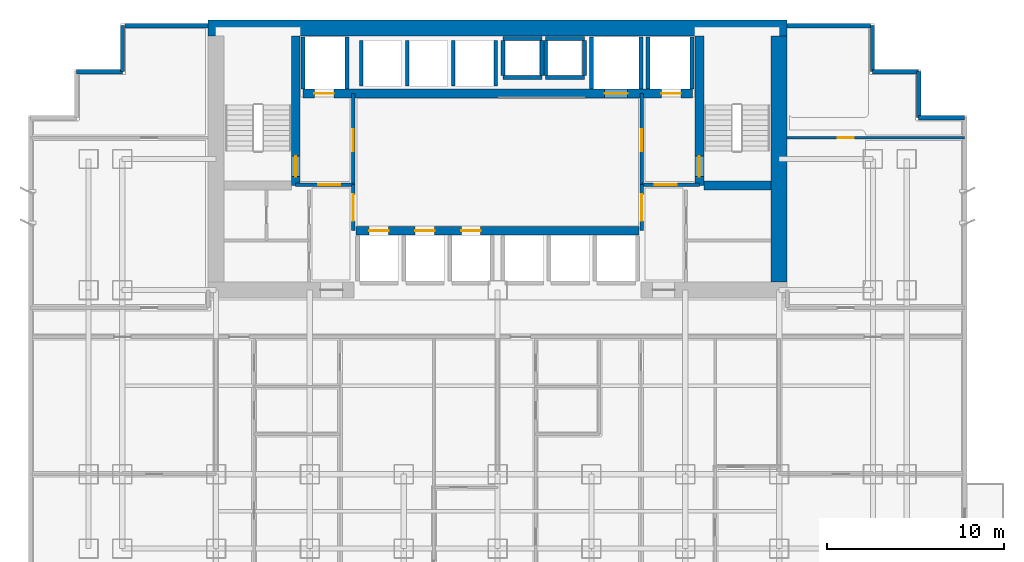
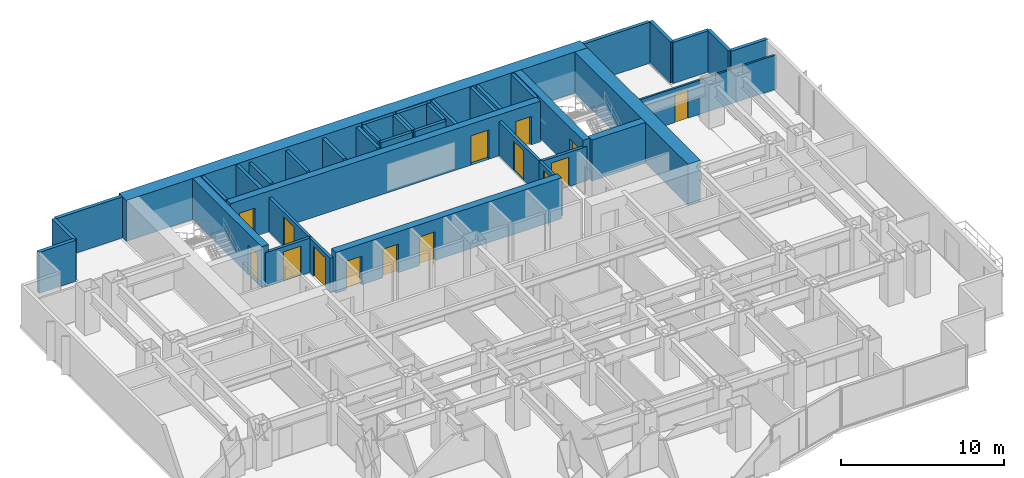
# One storey, part 7 of 10: 40 walls, 15 doors, 15 openings.
"""IFC4 building model written with IfcOpenShell, lengths in metres."""

from ifc_helpers import new_model, si_unit, direction, frame, frame_2d, origin, place, context, subcontext, project, spatial, rectangle, extrude, material, layer, layer_set, type_object, element, fill, save


model = new_model("IFC4")

# Units and contexts
model_context = context("Model", 3, precision=1e-05, world=origin(), true_north=direction((0.0, 1.0)))
body_context = subcontext(model_context, "Body", "Model", "MODEL_VIEW")
ifc_project = project(units=[si_unit("LENGTHUNIT", "METRE"), si_unit("AREAUNIT", "SQUARE_METRE"), si_unit("VOLUMEUNIT", "CUBIC_METRE"), si_unit("PLANEANGLEUNIT", "RADIAN"), si_unit("MASSUNIT", "GRAM", prefix="KILO")], contexts=[model_context])

# Site, building, storey
site_placement = place(None, origin())
site = spatial("IfcSite", under=ifc_project, at=site_placement, CompositionType="ELEMENT")
building_placement = place(site_placement, origin())
building = spatial("IfcBuilding", under=site, at=building_placement, Name="Qianlan Lanfeng Residences", CompositionType="ELEMENT")
storey_placement = place(building_placement, frame((0.0, 0.0, 50.60009765625)))
storey = spatial("IfcBuildingStorey", under=building, at=storey_placement, Name="L13", CompositionType="ELEMENT", Elevation=50.60009765625)

# Wall, opening, door
ifc_material_1 = material(Name="Concrete C70", Category="concrete")
ifc_layer_1 = layer(ifc_material_1, 0.5)
ifc_layer_set_1 = layer_set([ifc_layer_1], Name="Concrete C70")
wall_type_1 = type_object("IfcWallType", Name="CW-RC-500", PredefinedType="SHEAR", material=ifc_layer_set_1)
wall_1_placement = place(storey_placement, frame((15.10009765625, 31.10009765625, 0.0), z_axis=(0.0, 0.0, 1.0), x_axis=(0.0, 1.0, 0.0)))
wall_1 = element("IfcWall", 1, at=wall_1_placement, inside=storey, type_object=wall_type_1, Name="L13 Core Shear Wall ST1E", PredefinedType="SHEAR", context=body_context, shape_type="SweptSolid", body=[
    extrude(rectangle(XDim=8.449951171875, YDim=0.5, at=frame_2d((4.22509765625, 0.0))), origin(), (0.0, 0.0, 1.0), 3.079833984375),
])
opening_1_placement = place(wall_1_placement, frame((0.510009765625, 0.0, 0.0)))
opening_1 = element("IfcOpeningElement", 2, at=opening_1_placement, cuts=wall_1, Name="Opening L13-D07", PredefinedType="OPENING", context=body_context, shape_type="SweptSolid", body=[
    extrude(rectangle(XDim=1.14990234375, YDim=2.199951171875, at=frame_2d((0.574951171875, 1.10009765625))), frame((0.0, 0.260009765625, 0.0), z_axis=(0.0, -1.0, 0.0), x_axis=(1.0, 0.0, 0.0)), (0.0, 0.0, 1.0), 0.52001953125),
])
ifc_material_2 = material(Name="Painted Galvanised Steel Fire Door", Category="steel")
door_type_1 = type_object("IfcDoorType", Name="DT-ST1", OperationType="NOTDEFINED", PredefinedType="DOOR", material=ifc_material_2)
door_1_placement = place(opening_1_placement, frame((1.14990234375, 0.0, 0.0), z_axis=(0.0, 0.0, 1.0), x_axis=(-1.0, 0.0, 0.0)))
door_1 = element("IfcDoor", 3, at=door_1_placement, inside=storey, type_object=door_type_1, Name="L13 Exit Stair ST-1 Door L13-D07 (DT-ST1)", OperationType="SINGLE_SWING_RIGHT", OverallHeight=2.199951171875, OverallWidth=1.14990234375, PredefinedType="DOOR", context=body_context, shape_type="SweptSolid", body=[
    extrude(rectangle(XDim=1.14990234375, YDim=2.199951171875, at=frame_2d((0.574951171875, 1.10009765625))), frame((0.0, 0.02490234375, 0.0), z_axis=(0.0, -1.0, 0.0), x_axis=(1.0, 0.0, 0.0)), (0.0, 0.0, 1.0), 0.050048828125),
])
fill(opening_1, door_1)

wall_2_placement = place(storey_placement, frame((37.89990234375, 31.10009765625, 0.0), z_axis=(0.0, 0.0, 1.0), x_axis=(0.0, 1.0, 0.0)))
wall_2 = element("IfcWall", 4, at=wall_2_placement, inside=storey, type_object=wall_type_1, Name="L13 Core Shear Wall ST2W", PredefinedType="SHEAR", context=body_context, shape_type="SweptSolid", body=[
    extrude(rectangle(XDim=8.449951171875, YDim=0.5, at=frame_2d((4.22509765625, 0.0))), origin(), (0.0, 0.0, 1.0), 3.079833984375),
])
opening_2_placement = place(wall_2_placement, frame((0.510009765625, 0.0, 0.0)))
opening_2 = element("IfcOpeningElement", 5, at=opening_2_placement, cuts=wall_2, Name="Opening L13-D08", PredefinedType="OPENING", context=body_context, shape_type="SweptSolid", body=[
    extrude(rectangle(XDim=1.14990234375, YDim=2.199951171875, at=frame_2d((0.574951171875, 1.10009765625))), frame((0.0, 0.260009765625, 0.0), z_axis=(0.0, -1.0, 0.0), x_axis=(1.0, 0.0, 0.0)), (0.0, 0.0, 1.0), 0.52001953125),
])
door_2_placement = place(opening_2_placement, origin())
door_2 = element("IfcDoor", 6, at=door_2_placement, inside=storey, type_object=door_type_1, Name="L13 Exit Stair ST-2 Door L13-D08 (DT-ST1)", OperationType="SINGLE_SWING_RIGHT", OverallHeight=2.199951171875, OverallWidth=1.14990234375, PredefinedType="DOOR", context=body_context, shape_type="SweptSolid", body=[
    extrude(rectangle(XDim=1.14990234375, YDim=2.199951171875, at=frame_2d((0.574951171875, 1.10009765625))), frame((0.0, 0.02490234375, 0.0), z_axis=(0.0, -1.0, 0.0), x_axis=(1.0, 0.0, 0.0)), (0.0, 0.0, 1.0), 0.050048828125),
])
fill(opening_2, door_2)

# Wall
wall_3_placement = place(storey_placement, frame((38.14990234375, 31.10009765625, 0.0), z_axis=(0.0, 0.0, 1.0), x_axis=(1.0, 0.0, 0.0)))
element("IfcWall", 7, at=wall_3_placement, inside=storey, type_object=wall_type_1, Name="L13 Core Shear Wall ST2S", PredefinedType="SHEAR", context=body_context, shape_type="SweptSolid", body=[
    extrude(rectangle(XDim=3.800048828125, YDim=0.5, at=frame_2d((1.89990234375, 0.0))), origin(), (0.0, 0.0, 1.0), 3.079833984375),
])

# Wall, openings, doors
wall_4_placement = place(storey_placement, frame((15.5, 36.300048828125, 0.0), z_axis=(0.0, 0.0, 1.0), x_axis=(1.0, 0.0, 0.0)))
wall_4 = element("IfcWall", 8, at=wall_4_placement, inside=storey, type_object=wall_type_1, Name="L13 Core Shear Wall LBN", PredefinedType="SHEAR", context=body_context, shape_type="SweptSolid", body=[
    extrude(rectangle(XDim=22.0, YDim=0.5, at=frame_2d((11.0, 0.0))), origin(), (0.0, 0.0, 1.0), 3.079833984375),
])
opening_3_placement = place(wall_4_placement, frame((0.64990234375, 0.0, 0.0)))
opening_3 = element("IfcOpeningElement", 9, at=opening_3_placement, cuts=wall_4, Name="Opening L13-LD-FFL-1", PredefinedType="OPENING", context=body_context, shape_type="SweptSolid", body=[
    extrude(rectangle(XDim=1.10009765625, YDim=2.14990234375, at=frame_2d((0.550048828125, 1.074951171875))), frame((0.0, 0.260009765625, 0.0), z_axis=(0.0, -1.0, 0.0), x_axis=(1.0, 0.0, 0.0)), (0.0, 0.0, 1.0), 0.52001953125),
])
opening_4_placement = place(wall_4_placement, frame((20.25, 0.0, 0.0)))
opening_4 = element("IfcOpeningElement", 10, at=opening_4_placement, cuts=wall_4, Name="Opening L13-LD-FFL-2", PredefinedType="OPENING", context=body_context, shape_type="SweptSolid", body=[
    extrude(rectangle(XDim=1.10009765625, YDim=2.14990234375, at=frame_2d((0.550048828125, 1.074951171875))), frame((0.0, 0.260009765625, 0.0), z_axis=(0.0, -1.0, 0.0), x_axis=(1.0, 0.0, 0.0)), (0.0, 0.0, 1.0), 0.52001953125),
])
opening_5_placement = place(wall_4_placement, frame((17.050048828125, 0.0, 0.0)))
opening_5 = element("IfcOpeningElement", 11, at=opening_5_placement, cuts=wall_4, Name="Opening L13-LD-SVL-1", PredefinedType="OPENING", context=body_context, shape_type="SweptSolid", body=[
    extrude(rectangle(XDim=1.300048828125, YDim=2.199951171875, at=frame_2d((0.64990234375, 1.10009765625))), frame((0.0, 0.260009765625, 0.0), z_axis=(0.0, -1.0, 0.0), x_axis=(1.0, 0.0, 0.0)), (0.0, 0.0, 1.0), 0.52001953125),
])
ifc_material_3 = material(Name="Brushed Stainless Steel Sliding Lift Door", Category="steel")
door_type_2 = type_object("IfcDoorType", Name="LD-01", OperationType="NOTDEFINED", PredefinedType="DOOR", material=ifc_material_3)
door_3_placement = place(opening_3_placement, frame((1.10009765625, 0.0, 0.0), z_axis=(0.0, 0.0, 1.0), x_axis=(-1.0, 0.0, 0.0)))
door_3 = element("IfcDoor", 12, at=door_3_placement, inside=storey, type_object=door_type_2, Name="L13 Elevator FFL-1 Sliding Landing Door", OperationType="DOUBLE_DOOR_SLIDING", OverallHeight=2.14990234375, OverallWidth=1.10009765625, PredefinedType="DOOR", context=body_context, shape_type="SweptSolid", body=[
    extrude(rectangle(XDim=1.10009765625, YDim=2.14990234375, at=frame_2d((0.550048828125, 1.074951171875))), frame((0.0, 0.02490234375, 0.0), z_axis=(0.0, -1.0, 0.0), x_axis=(1.0, 0.0, 0.0)), (0.0, 0.0, 1.0), 0.050048828125),
])
fill(opening_3, door_3)
door_4_placement = place(opening_4_placement, frame((1.10009765625, 0.0, 0.0), z_axis=(0.0, 0.0, 1.0), x_axis=(-1.0, 0.0, 0.0)))
door_4 = element("IfcDoor", 13, at=door_4_placement, inside=storey, type_object=door_type_2, Name="L13 Elevator FFL-2 Sliding Landing Door", OperationType="DOUBLE_DOOR_SLIDING", OverallHeight=2.14990234375, OverallWidth=1.10009765625, PredefinedType="DOOR", context=body_context, shape_type="SweptSolid", body=[
    extrude(rectangle(XDim=1.10009765625, YDim=2.14990234375, at=frame_2d((0.550048828125, 1.074951171875))), frame((0.0, 0.02490234375, 0.0), z_axis=(0.0, -1.0, 0.0), x_axis=(1.0, 0.0, 0.0)), (0.0, 0.0, 1.0), 0.050048828125),
])
fill(opening_4, door_4)
door_type_3 = type_object("IfcDoorType", Name="LD-02", OperationType="NOTDEFINED", PredefinedType="DOOR", material=ifc_material_3)
door_5_placement = place(opening_5_placement, frame((1.300048828125, 0.0, 0.0), z_axis=(0.0, 0.0, 1.0), x_axis=(-1.0, 0.0, 0.0)))
door_5 = element("IfcDoor", 14, at=door_5_placement, inside=storey, type_object=door_type_3, Name="L13 Elevator SVL-1 Sliding Landing Door", OperationType="DOUBLE_DOOR_SLIDING", OverallHeight=2.199951171875, OverallWidth=1.300048828125, PredefinedType="DOOR", context=body_context, shape_type="SweptSolid", body=[
    extrude(rectangle(XDim=1.300048828125, YDim=2.199951171875, at=frame_2d((0.64990234375, 1.10009765625))), frame((0.0, 0.02490234375, 0.0), z_axis=(0.0, -1.0, 0.0), x_axis=(1.0, 0.0, 0.0)), (0.0, 0.0, 1.0), 0.050048828125),
])
fill(opening_5, door_5)

wall_5_placement = place(storey_placement, frame((18.5, 28.550048828125, 0.0), z_axis=(0.0, 0.0, 1.0), x_axis=(1.0, 0.0, 0.0)))
wall_5 = element("IfcWall", 15, at=wall_5_placement, inside=storey, type_object=wall_type_1, Name="L13 Core Shear Wall LBS", PredefinedType="SHEAR", context=body_context, shape_type="SweptSolid", body=[
    extrude(rectangle(XDim=16.0, YDim=0.5, at=frame_2d((8.0, 0.0))), origin(), (0.0, 0.0, 1.0), 3.079833984375),
])
opening_6_placement = place(wall_5_placement, frame((0.75, 0.0, 0.0)))
opening_6 = element("IfcOpeningElement", 16, at=opening_6_placement, cuts=wall_5, Name="Opening L13-LD-PL-L1", PredefinedType="OPENING", context=body_context, shape_type="SweptSolid", body=[
    extrude(rectangle(XDim=1.10009765625, YDim=2.14990234375, at=frame_2d((0.550048828125, 1.074951171875))), frame((0.0, 0.260009765625, 0.0), z_axis=(0.0, -1.0, 0.0), x_axis=(1.0, 0.0, 0.0)), (0.0, 0.0, 1.0), 0.52001953125),
])
opening_7_placement = place(wall_5_placement, frame((3.35009765625, 0.0, 0.0)))
opening_7 = element("IfcOpeningElement", 17, at=opening_7_placement, cuts=wall_5, Name="Opening L13-LD-PL-L2", PredefinedType="OPENING", context=body_context, shape_type="SweptSolid", body=[
    extrude(rectangle(XDim=1.10009765625, YDim=2.14990234375, at=frame_2d((0.550048828125, 1.074951171875))), frame((0.0, 0.260009765625, 0.0), z_axis=(0.0, -1.0, 0.0), x_axis=(1.0, 0.0, 0.0)), (0.0, 0.0, 1.0), 0.52001953125),
])
opening_8_placement = place(wall_5_placement, frame((5.949951171875, 0.0, 0.0)))
opening_8 = element("IfcOpeningElement", 18, at=opening_8_placement, cuts=wall_5, Name="Opening L13-LD-PL-L3", PredefinedType="OPENING", context=body_context, shape_type="SweptSolid", body=[
    extrude(rectangle(XDim=1.10009765625, YDim=2.14990234375, at=frame_2d((0.550048828125, 1.074951171875))), frame((0.0, 0.260009765625, 0.0), z_axis=(0.0, -1.0, 0.0), x_axis=(1.0, 0.0, 0.0)), (0.0, 0.0, 1.0), 0.52001953125),
])
door_6_placement = place(opening_6_placement, origin())
door_6 = element("IfcDoor", 19, at=door_6_placement, inside=storey, type_object=door_type_2, Name="L13 Elevator PL-L1 Sliding Landing Door", OperationType="DOUBLE_DOOR_SLIDING", OverallHeight=2.14990234375, OverallWidth=1.10009765625, PredefinedType="DOOR", context=body_context, shape_type="SweptSolid", body=[
    extrude(rectangle(XDim=1.10009765625, YDim=2.14990234375, at=frame_2d((0.550048828125, 1.074951171875))), frame((0.0, 0.02490234375, 0.0), z_axis=(0.0, -1.0, 0.0), x_axis=(1.0, 0.0, 0.0)), (0.0, 0.0, 1.0), 0.050048828125),
])
fill(opening_6, door_6)
door_7_placement = place(opening_7_placement, origin())
door_7 = element("IfcDoor", 20, at=door_7_placement, inside=storey, type_object=door_type_2, Name="L13 Elevator PL-L2 Sliding Landing Door", OperationType="DOUBLE_DOOR_SLIDING", OverallHeight=2.14990234375, OverallWidth=1.10009765625, PredefinedType="DOOR", context=body_context, shape_type="SweptSolid", body=[
    extrude(rectangle(XDim=1.10009765625, YDim=2.14990234375, at=frame_2d((0.550048828125, 1.074951171875))), frame((0.0, 0.02490234375, 0.0), z_axis=(0.0, -1.0, 0.0), x_axis=(1.0, 0.0, 0.0)), (0.0, 0.0, 1.0), 0.050048828125),
])
fill(opening_7, door_7)
door_8_placement = place(opening_8_placement, origin())
door_8 = element("IfcDoor", 21, at=door_8_placement, inside=storey, type_object=door_type_2, Name="L13 Elevator PL-L3 Sliding Landing Door", OperationType="DOUBLE_DOOR_SLIDING", OverallHeight=2.14990234375, OverallWidth=1.10009765625, PredefinedType="DOOR", context=body_context, shape_type="SweptSolid", body=[
    extrude(rectangle(XDim=1.10009765625, YDim=2.14990234375, at=frame_2d((0.550048828125, 1.074951171875))), frame((0.0, 0.02490234375, 0.0), z_axis=(0.0, -1.0, 0.0), x_axis=(1.0, 0.0, 0.0)), (0.0, 0.0, 1.0), 0.050048828125),
])
fill(opening_8, door_8)

# Walls
ifc_layer_2 = layer(ifc_material_1, 0.89990234375)
ifc_layer_set_2 = layer_set([ifc_layer_2], Name="Concrete C70")
wall_type_2 = type_object("IfcWallType", Name="CW-RC-900", PredefinedType="SHEAR", material=ifc_layer_set_2)
wall_6_placement = place(storey_placement, frame((10.14990234375, 40.0, 0.0), z_axis=(0.0, 0.0, 1.0), x_axis=(1.0, 0.0, 0.0)))
element("IfcWall", 22, at=wall_6_placement, inside=storey, type_object=wall_type_2, Name="L13 Core Shear Wall N", PredefinedType="SHEAR", context=body_context, shape_type="SweptSolid", body=[
    extrude(rectangle(XDim=32.7001953125, YDim=0.89990234375, at=frame_2d((16.35009765625, 0.0))), origin(), (0.0, 0.0, 1.0), 3.079833984375),
])
wall_7_placement = place(storey_placement, frame((42.39990234375, 25.64990234375, 0.0), z_axis=(0.0, 0.0, 1.0), x_axis=(0.0, 1.0, 0.0)))
element("IfcWall", 23, at=wall_7_placement, inside=storey, type_object=wall_type_2, Name="L13 Core Shear Wall E", PredefinedType="SHEAR", context=body_context, shape_type="SweptSolid", body=[
    extrude(rectangle(XDim=13.900146484375, YDim=0.89990234375, at=frame_2d((6.9501953125, 0.0))), origin(), (0.0, 0.0, 1.0), 3.079833984375),
])
ifc_material_4 = material(Name="Concrete C42", Category="concrete")
ifc_layer_3 = layer(ifc_material_4, 0.239990234375)
ifc_layer_set_3 = layer_set([ifc_layer_3], Name="Concrete C42")
wall_type_3 = type_object("IfcWallType", Name="EW-240", PredefinedType="SOLIDWALL", material=ifc_layer_set_3)
wall_8_placement = place(storey_placement, frame((52.8798828125, 34.929931640625, 0.0), z_axis=(0.0, 0.0, 1.0), x_axis=(-1.0, 0.0, 0.0)))
element("IfcWall", 24, at=wall_8_placement, inside=storey, type_object=wall_type_3, Name="L13 Exterior Facade Spandrel Wall 11", PredefinedType="SOLIDWALL", context=body_context, shape_type="SweptSolid", body=[
    extrude(rectangle(XDim=2.599853515625, YDim=0.239990234375, at=frame_2d((1.2998046875, 0.0))), origin(), (0.0, 0.0, 1.0), 3.079833984375),
])
for number, where, z_axis, x_axis, name in (
    (25, (50.280029296875, 34.929931640625, 0.0), (0.0, 0.0, 1.0), (0.0, 1.0, 0.0), "L13 Exterior Facade Spandrel Wall 12"),
    (26, (50.280029296875, 37.530029296875, 0.0), (0.0, 0.0, 1.0), (-1.0, 0.0, 0.0), "L13 Exterior Facade Spandrel Wall 13"),
):
    element("IfcWall", number, at=place(storey_placement, frame(where, z_axis=z_axis, x_axis=x_axis)), inside=storey, type_object=wall_type_3, Name=name, PredefinedType="SOLIDWALL", context=body_context, shape_type="SweptSolid", body=[
        extrude(rectangle(XDim=2.60009765625, YDim=0.239990234375, at=frame_2d((1.300048828125, 0.0))), origin(), (0.0, 0.0, 1.0), 3.079833984375),
    ])
wall_9_placement = place(storey_placement, frame((47.679931640625, 37.530029296875, 0.0), z_axis=(0.0, 0.0, 1.0), x_axis=(0.0, 1.0, 0.0)))
element("IfcWall", 27, at=wall_9_placement, inside=storey, type_object=wall_type_3, Name="L13 Exterior Facade Spandrel Wall 14", PredefinedType="SOLIDWALL", context=body_context, shape_type="SweptSolid", body=[
    extrude(rectangle(XDim=2.599853515625, YDim=0.239990234375, at=frame_2d((1.2998046875, 0.0))), origin(), (0.0, 0.0, 1.0), 3.079833984375),
])
for number, where, z_axis, x_axis, name in (
    (28, (47.550048828125, 40.1298828125, 0.0), (0.0, 0.0, 1.0), (-1.0, 0.0, 0.0), "L13 North Wing Exterior Wall E"),
    (29, (10.14990234375, 40.1298828125, 0.0), (0.0, 0.0, 1.0), (-1.0, 0.0, 0.0), "L13 North Wing Exterior Wall W"),
):
    element("IfcWall", number, at=place(storey_placement, frame(where, z_axis=z_axis, x_axis=x_axis)), inside=storey, type_object=wall_type_3, Name=name, PredefinedType="SOLIDWALL", context=body_context, shape_type="SweptSolid", body=[
        extrude(rectangle(XDim=4.699951171875, YDim=0.239990234375, at=frame_2d((2.35009765625, 0.0))), origin(), (0.0, 0.0, 1.0), 3.079833984375),
    ])
wall_10_placement = place(storey_placement, frame((5.320068359375, 40.1298828125, 0.0), z_axis=(0.0, 0.0, 1.0), x_axis=(0.0, -1.0, 0.0)))
element("IfcWall", 30, at=wall_10_placement, inside=storey, type_object=wall_type_3, Name="L13 Exterior Facade Spandrel Wall 17", PredefinedType="SOLIDWALL", context=body_context, shape_type="SweptSolid", body=[
    extrude(rectangle(XDim=2.599853515625, YDim=0.239990234375, at=frame_2d((1.2998046875, 0.0))), origin(), (0.0, 0.0, 1.0), 3.079833984375),
])
wall_11_placement = place(storey_placement, frame((5.320068359375, 37.530029296875, 0.0), z_axis=(0.0, 0.0, 1.0), x_axis=(-1.0, 0.0, 0.0)))
element("IfcWall", 31, at=wall_11_placement, inside=storey, type_object=wall_type_3, Name="L13 Exterior Facade Spandrel Wall 18", PredefinedType="SOLIDWALL", context=body_context, shape_type="SweptSolid", body=[
    extrude(rectangle(XDim=2.60009765625, YDim=0.239990234375, at=frame_2d((1.300048828125, 0.0))), origin(), (0.0, 0.0, 1.0), 3.079833984375),
])

# Wall, opening, door
ifc_material_5 = material(Name="Moisture-Resistant Gypsum Partition 135 mm")
ifc_layer_4 = layer(ifc_material_5, 0.135009765625)
ifc_layer_set_4 = layer_set([ifc_layer_4], Name="Moisture-Resistant Gypsum Partition 135 mm")
wall_type_4 = type_object("IfcWallType", Name="PW-135", PredefinedType="PARTITIONING", material=ifc_layer_set_4)
wall_12_placement = place(storey_placement, frame((42.85009765625, 33.800048828125, 0.0), z_axis=(0.0, 0.0, 1.0), x_axis=(1.0, 0.0, 0.0)))
wall_12 = element("IfcWall", 32, at=wall_12_placement, inside=storey, type_object=wall_type_4, Name="L13 EW North Wing Wall", PredefinedType="PARTITIONING", context=body_context, shape_type="SweptSolid", body=[
    extrude(rectangle(XDim=10.02978515625, YDim=0.135009765625, at=frame_2d((5.014892578125, 0.0))), origin(), (0.0, 0.0, 1.0), 2.56982421875),
])
opening_9_placement = place(wall_12_placement, frame((2.85498046875, 0.0, 0.0)))
opening_9 = element("IfcOpeningElement", 33, at=opening_9_placement, cuts=wall_12, Name="Opening L13-D42", PredefinedType="OPENING", context=body_context, shape_type="SweptSolid", body=[
    extrude(rectangle(XDim=0.919921875, YDim=2.14990234375, at=frame_2d((0.4599609375, 1.074951171875))), frame((0.0, 0.07763671875, 0.0), z_axis=(0.0, -1.0, 0.0), x_axis=(1.0, 0.0, 0.0)), (0.0, 0.0, 1.0), 0.155029296875),
])
ifc_material_6 = material(Name="Glazed Timber Kitchen/Study Door", Category="wood")
door_type_4 = type_object("IfcDoorType", Name="DT-INT", OperationType="NOTDEFINED", PredefinedType="DOOR", material=ifc_material_6)
door_9_placement = place(opening_9_placement, origin())
door_9 = element("IfcDoor", 34, at=door_9_placement, inside=storey, type_object=door_type_4, Name="L13 EW Inner Salon Door L13-D42 (DT-INT)", OperationType="SINGLE_SWING_RIGHT", OverallHeight=2.14990234375, OverallWidth=0.919921875, PredefinedType="DOOR", context=body_context, shape_type="SweptSolid", body=[
    extrude(rectangle(XDim=0.919921875, YDim=2.14990234375, at=frame_2d((0.4599609375, 1.074951171875))), frame((0.0, 0.02490234375, 0.0), z_axis=(0.0, -1.0, 0.0), x_axis=(1.0, 0.0, 0.0)), (0.0, 0.0, 1.0), 0.050048828125),
])
fill(opening_9, door_9)

ifc_material_7 = material(Name="Autoclaved Aerated Concrete Blockwork 200 mm", Category="masonry")
ifc_layer_5 = layer(ifc_material_7, 0.199951171875)
ifc_layer_set_5 = layer_set([ifc_layer_5], Name="Autoclaved Aerated Concrete Blockwork 200 mm")
wall_type_5 = type_object("IfcWallType", Name="PW-200", PredefinedType="PARTITIONING", material=ifc_layer_set_5)
wall_13_placement = place(storey_placement, frame((15.10009765625, 31.14990234375, 0.0), z_axis=(0.0, 0.0, 1.0), x_axis=(1.0, 0.0, 0.0)))
wall_13 = element("IfcWall", 35, at=wall_13_placement, inside=storey, type_object=wall_type_5, Name="L13 Firefighting Lobby 1 South Wall", PredefinedType="PARTITIONING", context=body_context, shape_type="SweptSolid", body=[
    extrude(rectangle(XDim=3.25, YDim=0.199951171875, at=frame_2d((1.625, 0.0))), origin(), (0.0, 0.0, 1.0), 2.56982421875),
])
opening_10_placement = place(wall_13_placement, frame((1.27490234375, 0.0, 0.0)))
opening_10 = element("IfcOpeningElement", 36, at=opening_10_placement, cuts=wall_13, Name="Opening L13-D03", PredefinedType="OPENING", context=body_context, shape_type="SweptSolid", body=[
    extrude(rectangle(XDim=1.25, YDim=2.199951171875, at=frame_2d((0.625, 1.10009765625))), frame((0.0, 0.10986328125, 0.0), z_axis=(0.0, -1.0, 0.0), x_axis=(1.0, 0.0, 0.0)), (0.0, 0.0, 1.0), 0.219970703125),
])
door_type_5 = type_object("IfcDoorType", Name="DT-FFL", OperationType="NOTDEFINED", PredefinedType="DOOR", material=ifc_material_2)
door_10_placement = place(opening_10_placement, origin())
door_10 = element("IfcDoor", 37, at=door_10_placement, inside=storey, type_object=door_type_5, Name="L13 Firefighting Lobby 1 Entry Door L13-D03 (DT-FFL)", OperationType="SINGLE_SWING_LEFT", OverallHeight=2.199951171875, OverallWidth=1.25, PredefinedType="DOOR", context=body_context, shape_type="SweptSolid", body=[
    extrude(rectangle(XDim=1.25, YDim=2.199951171875, at=frame_2d((0.625, 1.10009765625))), frame((0.0, 0.02490234375, 0.0), z_axis=(0.0, -1.0, 0.0), x_axis=(1.0, 0.0, 0.0)), (0.0, 0.0, 1.0), 0.050048828125),
])
fill(opening_10, door_10)

wall_14_placement = place(storey_placement, frame((18.35009765625, 31.14990234375, 0.0), z_axis=(0.0, 0.0, 1.0), x_axis=(0.0, 1.0, 0.0)))
wall_14 = element("IfcWall", 38, at=wall_14_placement, inside=storey, type_object=wall_type_5, Name="L13 Firefighting Lobby 1 East Wall", PredefinedType="PARTITIONING", context=body_context, shape_type="SweptSolid", body=[
    extrude(rectangle(XDim=5.150146484375, YDim=0.199951171875, at=frame_2d((2.5751953125, 0.0))), origin(), (0.0, 0.0, 1.0), 2.56982421875),
])
opening_11_placement = place(wall_14_placement, frame((1.875, 0.0, 0.0)))
opening_11 = element("IfcOpeningElement", 39, at=opening_11_placement, cuts=wall_14, Name="Opening L13-D04", PredefinedType="OPENING", context=body_context, shape_type="SweptSolid", body=[
    extrude(rectangle(XDim=1.25, YDim=2.199951171875, at=frame_2d((0.625, 1.10009765625))), frame((0.0, 0.10986328125, 0.0), z_axis=(0.0, -1.0, 0.0), x_axis=(1.0, 0.0, 0.0)), (0.0, 0.0, 1.0), 0.219970703125),
])
door_11_placement = place(opening_11_placement, origin())
door_11 = element("IfcDoor", 40, at=door_11_placement, inside=storey, type_object=door_type_5, Name="L13 Firefighting Lobby 1 Lift Lobby Door L13-D04 (DT-FFL)", OperationType="SINGLE_SWING_RIGHT", OverallHeight=2.199951171875, OverallWidth=1.25, PredefinedType="DOOR", context=body_context, shape_type="SweptSolid", body=[
    extrude(rectangle(XDim=1.25, YDim=2.199951171875, at=frame_2d((0.625, 1.10009765625))), frame((0.0, 0.02490234375, 0.0), z_axis=(0.0, -1.0, 0.0), x_axis=(1.0, 0.0, 0.0)), (0.0, 0.0, 1.0), 0.050048828125),
])
fill(opening_11, door_11)

wall_15_placement = place(storey_placement, frame((34.64990234375, 31.14990234375, 0.0), z_axis=(0.0, 0.0, 1.0), x_axis=(1.0, 0.0, 0.0)))
wall_15 = element("IfcWall", 41, at=wall_15_placement, inside=storey, type_object=wall_type_5, Name="L13 Firefighting Lobby 2 South Wall", PredefinedType="PARTITIONING", context=body_context, shape_type="SweptSolid", body=[
    extrude(rectangle(XDim=3.25, YDim=0.199951171875, at=frame_2d((1.625, 0.0))), origin(), (0.0, 0.0, 1.0), 2.56982421875),
])
opening_12_placement = place(wall_15_placement, frame((0.72509765625, 0.0, 0.0)))
opening_12 = element("IfcOpeningElement", 42, at=opening_12_placement, cuts=wall_15, Name="Opening L13-D05", PredefinedType="OPENING", context=body_context, shape_type="SweptSolid", body=[
    extrude(rectangle(XDim=1.25, YDim=2.199951171875, at=frame_2d((0.625, 1.10009765625))), frame((0.0, 0.10986328125, 0.0), z_axis=(0.0, -1.0, 0.0), x_axis=(1.0, 0.0, 0.0)), (0.0, 0.0, 1.0), 0.219970703125),
])
door_12_placement = place(opening_12_placement, origin())
door_12 = element("IfcDoor", 43, at=door_12_placement, inside=storey, type_object=door_type_5, Name="L13 Firefighting Lobby 2 Entry Door L13-D05 (DT-FFL)", OperationType="SINGLE_SWING_RIGHT", OverallHeight=2.199951171875, OverallWidth=1.25, PredefinedType="DOOR", context=body_context, shape_type="SweptSolid", body=[
    extrude(rectangle(XDim=1.25, YDim=2.199951171875, at=frame_2d((0.625, 1.10009765625))), frame((0.0, 0.02490234375, 0.0), z_axis=(0.0, -1.0, 0.0), x_axis=(1.0, 0.0, 0.0)), (0.0, 0.0, 1.0), 0.050048828125),
])
fill(opening_12, door_12)

wall_16_placement = place(storey_placement, frame((34.64990234375, 31.14990234375, 0.0), z_axis=(0.0, 0.0, 1.0), x_axis=(0.0, 1.0, 0.0)))
wall_16 = element("IfcWall", 44, at=wall_16_placement, inside=storey, type_object=wall_type_5, Name="L13 Firefighting Lobby 2 West Wall", PredefinedType="PARTITIONING", context=body_context, shape_type="SweptSolid", body=[
    extrude(rectangle(XDim=5.150146484375, YDim=0.199951171875, at=frame_2d((2.5751953125, 0.0))), origin(), (0.0, 0.0, 1.0), 2.56982421875),
])
opening_13_placement = place(wall_16_placement, frame((1.875, 0.0, 0.0)))
opening_13 = element("IfcOpeningElement", 45, at=opening_13_placement, cuts=wall_16, Name="Opening L13-D06", PredefinedType="OPENING", context=body_context, shape_type="SweptSolid", body=[
    extrude(rectangle(XDim=1.25, YDim=2.199951171875, at=frame_2d((0.625, 1.10009765625))), frame((0.0, 0.10986328125, 0.0), z_axis=(0.0, -1.0, 0.0), x_axis=(1.0, 0.0, 0.0)), (0.0, 0.0, 1.0), 0.219970703125),
])
door_13_placement = place(opening_13_placement, origin())
door_13 = element("IfcDoor", 46, at=door_13_placement, inside=storey, type_object=door_type_5, Name="L13 Firefighting Lobby 2 Lift Lobby Door L13-D06 (DT-FFL)", OperationType="SINGLE_SWING_RIGHT", OverallHeight=2.199951171875, OverallWidth=1.25, PredefinedType="DOOR", context=body_context, shape_type="SweptSolid", body=[
    extrude(rectangle(XDim=1.25, YDim=2.199951171875, at=frame_2d((0.625, 1.10009765625))), frame((0.0, 0.02490234375, 0.0), z_axis=(0.0, -1.0, 0.0), x_axis=(1.0, 0.0, 0.0)), (0.0, 0.0, 1.0), 0.050048828125),
])
fill(opening_13, door_13)

wall_17_placement = place(storey_placement, frame((18.35009765625, 28.550048828125, 0.0), z_axis=(0.0, 0.0, 1.0), x_axis=(0.0, 1.0, 0.0)))
wall_17 = element("IfcWall", 47, at=wall_17_placement, inside=storey, type_object=wall_type_5, Name="L13 Lift Lobby West Connector Wall", PredefinedType="PARTITIONING", context=body_context, shape_type="SweptSolid", body=[
    extrude(rectangle(XDim=2.599853515625, YDim=0.199951171875, at=frame_2d((1.2998046875, 0.0))), origin(), (0.0, 0.0, 1.0), 2.56982421875),
])
opening_14_placement = place(wall_17_placement, frame((0.550048828125, 0.0, 0.0)))
opening_14 = element("IfcOpeningElement", 48, at=opening_14_placement, cuts=wall_17, Name="Opening L13-D14", PredefinedType="OPENING", context=body_context, shape_type="SweptSolid", body=[
    extrude(rectangle(XDim=1.5, YDim=2.25, at=frame_2d((0.75, 1.125))), frame((0.0, 0.10986328125, 0.0), z_axis=(0.0, -1.0, 0.0), x_axis=(1.0, 0.0, 0.0)), (0.0, 0.0, 1.0), 0.219970703125),
])
ifc_material_8 = material(Name="Timber Veneer Acoustic Fire Door", Category="wood")
door_type_6 = type_object("IfcDoorType", Name="DT-COR1", OperationType="NOTDEFINED", PredefinedType="DOOR", material=ifc_material_8)
door_14_placement = place(opening_14_placement, origin())
door_14 = element("IfcDoor", 49, at=door_14_placement, inside=storey, type_object=door_type_6, Name="L13 Lift Lobby West Portal Door L13-D14 (DT-COR1)", OperationType="DOUBLE_DOOR_SINGLE_SWING", OverallHeight=2.25, OverallWidth=1.5, PredefinedType="DOOR", context=body_context, shape_type="SweptSolid", body=[
    extrude(rectangle(XDim=1.5, YDim=2.25, at=frame_2d((0.75, 1.125))), frame((0.0, 0.02490234375, 0.0), z_axis=(0.0, -1.0, 0.0), x_axis=(1.0, 0.0, 0.0)), (0.0, 0.0, 1.0), 0.050048828125),
])
fill(opening_14, door_14)

wall_18_placement = place(storey_placement, frame((34.64990234375, 28.550048828125, 0.0), z_axis=(0.0, 0.0, 1.0), x_axis=(0.0, 1.0, 0.0)))
wall_18 = element("IfcWall", 50, at=wall_18_placement, inside=storey, type_object=wall_type_5, Name="L13 Lift Lobby East Connector Wall", PredefinedType="PARTITIONING", context=body_context, shape_type="SweptSolid", body=[
    extrude(rectangle(XDim=2.599853515625, YDim=0.199951171875, at=frame_2d((1.2998046875, 0.0))), origin(), (0.0, 0.0, 1.0), 2.56982421875),
])
opening_15_placement = place(wall_18_placement, frame((0.550048828125, 0.0, 0.0)))
opening_15 = element("IfcOpeningElement", 51, at=opening_15_placement, cuts=wall_18, Name="Opening L13-D15", PredefinedType="OPENING", context=body_context, shape_type="SweptSolid", body=[
    extrude(rectangle(XDim=1.5, YDim=2.25, at=frame_2d((0.75, 1.125))), frame((0.0, 0.10986328125, 0.0), z_axis=(0.0, -1.0, 0.0), x_axis=(1.0, 0.0, 0.0)), (0.0, 0.0, 1.0), 0.219970703125),
])
door_15_placement = place(opening_15_placement, frame((1.5, 0.0, 0.0), z_axis=(0.0, 0.0, 1.0), x_axis=(-1.0, 0.0, 0.0)))
door_15 = element("IfcDoor", 52, at=door_15_placement, inside=storey, type_object=door_type_6, Name="L13 Lift Lobby East Portal Door L13-D15 (DT-COR1)", OperationType="DOUBLE_DOOR_SINGLE_SWING", OverallHeight=2.25, OverallWidth=1.5, PredefinedType="DOOR", context=body_context, shape_type="SweptSolid", body=[
    extrude(rectangle(XDim=1.5, YDim=2.25, at=frame_2d((0.75, 1.125))), frame((0.0, 0.02490234375, 0.0), z_axis=(0.0, -1.0, 0.0), x_axis=(1.0, 0.0, 0.0)), (0.0, 0.0, 1.0), 0.050048828125),
])
fill(opening_15, door_15)

# Walls
ifc_material_9 = material(Name="Concrete C49", Category="concrete")
ifc_layer_6 = layer(ifc_material_9, 0.219970703125)
ifc_layer_set_6 = layer_set([ifc_layer_6], Name="Concrete C49")
wall_type_6 = type_object("IfcWallType", Name="SHW-220", PredefinedType="SOLIDWALL", material=ifc_layer_set_6)
for number, where, z_axis, x_axis, name in (
    (53, (15.52001953125, 36.550048828125, 0.0), (0.0, 0.0, 1.0), (0.0, 1.0, 0.0), "L13 Lift FFL-1 Shaft Wall W"),
    (54, (18.0, 36.550048828125, 0.0), (0.0, 0.0, 1.0), (0.0, 1.0, 0.0), "L13 Lift FFL-1 Shaft Wall E"),
    (55, (35.0, 36.550048828125, 0.0), (0.0, 0.0, 1.0), (0.0, 1.0, 0.0), "L13 Lift FFL-2 Shaft Wall W"),
    (56, (37.47998046875, 36.550048828125, 0.0), (0.0, 0.0, 1.0), (0.0, 1.0, 0.0), "L13 Lift FFL-2 Shaft Wall E"),
    (57, (31.800048828125, 36.550048828125, 0.0), (0.0, 0.0, 1.0), (0.0, 1.0, 0.0), "L13 Lift SVL-1 Shaft Wall W"),
    (58, (34.60009765625, 36.550048828125, 0.0), (0.0, 0.0, 1.0), (0.0, 1.0, 0.0), "L13 Lift SVL-1 Shaft Wall E"),
):
    element("IfcWall", number, at=place(storey_placement, frame(where, z_axis=z_axis, x_axis=x_axis)), inside=storey, type_object=wall_type_6, Name=name, PredefinedType="SOLIDWALL", context=body_context, shape_type="SweptSolid", body=[
        extrude(rectangle(XDim=2.929931640625, YDim=0.219970703125, at=frame_2d((1.46484375, 0.0))), origin(), (0.0, 0.0, 1.0), 3.079833984375),
    ])
for number, where, z_axis, x_axis, name in (
    (59, (18.800048828125, 36.719970703125, 0.0), (0.0, 0.0, 1.0), (0.0, 1.0, 0.0), "L13 Lift PL-H1 Shaft Wall W"),
    (60, (21.39990234375, 36.719970703125, 0.0), (0.0, 0.0, 1.0), (0.0, 1.0, 0.0), "L13 Lift PL-H2 Shaft Wall W"),
    (61, (24.0, 36.719970703125, 0.0), (0.0, 0.0, 1.0), (0.0, 1.0, 0.0), "L13 Lift PL-H3 Shaft Wall W"),
    (62, (26.39990234375, 36.719970703125, 0.0), (0.0, 0.0, 1.0), (0.0, 1.0, 0.0), "L13 Lift PL-H3 Shaft Wall E"),
):
    element("IfcWall", number, at=place(storey_placement, frame(where, z_axis=z_axis, x_axis=x_axis)), inside=storey, type_object=wall_type_6, Name=name, PredefinedType="SOLIDWALL", context=body_context, shape_type="SweptSolid", body=[
        extrude(rectangle(XDim=2.56005859375, YDim=0.219970703125, at=frame_2d((1.280029296875, 0.0))), origin(), (0.0, 0.0, 1.0), 3.079833984375),
    ])
for number, where, z_axis, x_axis, name in (
    (63, (26.800048828125, 37.31005859375, 0.0), (0.0, 0.0, 1.0), (0.0, 1.0, 0.0), "L13 MEP Riser MEP-R1 Shaft Wall W"),
    (64, (29.0, 37.31005859375, 0.0), (0.0, 0.0, 1.0), (0.0, 1.0, 0.0), "L13 MEP Riser MEP-R1 Shaft Wall E"),
):
    element("IfcWall", number, at=place(storey_placement, frame(where, z_axis=z_axis, x_axis=x_axis)), inside=storey, type_object=wall_type_6, Name=name, PredefinedType="SOLIDWALL", context=body_context, shape_type="SweptSolid", body=[
        extrude(rectangle(XDim=1.97998046875, YDim=0.219970703125, at=frame_2d((0.989990234375, 0.0))), origin(), (0.0, 0.0, 1.0), 3.079833984375),
    ])
for number, where, z_axis, x_axis, name in (
    (65, (26.800048828125, 39.39990234375, 0.0), (0.0, 0.0, 1.0), (1.0, 0.0, 0.0), "L13 MEP Riser MEP-R1 Shaft Wall N"),
    (66, (26.800048828125, 37.199951171875, 0.0), (0.0, 0.0, 1.0), (1.0, 0.0, 0.0), "L13 MEP Riser MEP-R1 Shaft Wall S"),
):
    element("IfcWall", number, at=place(storey_placement, frame(where, z_axis=z_axis, x_axis=x_axis)), inside=storey, type_object=wall_type_6, Name=name, PredefinedType="SOLIDWALL", context=body_context, shape_type="SweptSolid", body=[
        extrude(rectangle(XDim=2.199951171875, YDim=0.219970703125, at=frame_2d((1.10009765625, 0.0))), origin(), (0.0, 0.0, 1.0), 3.079833984375),
    ])
for number, where, z_axis, x_axis, name in (
    (67, (29.199951171875, 37.31005859375, 0.0), (0.0, 0.0, 1.0), (0.0, 1.0, 0.0), "L13 MEP Riser MEP-R2 Shaft Wall W"),
    (68, (31.39990234375, 37.31005859375, 0.0), (0.0, 0.0, 1.0), (0.0, 1.0, 0.0), "L13 MEP Riser MEP-R2 Shaft Wall E"),
):
    element("IfcWall", number, at=place(storey_placement, frame(where, z_axis=z_axis, x_axis=x_axis)), inside=storey, type_object=wall_type_6, Name=name, PredefinedType="SOLIDWALL", context=body_context, shape_type="SweptSolid", body=[
        extrude(rectangle(XDim=1.97998046875, YDim=0.219970703125, at=frame_2d((0.989990234375, 0.0))), origin(), (0.0, 0.0, 1.0), 3.079833984375),
    ])
for number, where, z_axis, x_axis, name in (
    (69, (29.199951171875, 39.39990234375, 0.0), (0.0, 0.0, 1.0), (1.0, 0.0, 0.0), "L13 MEP Riser MEP-R2 Shaft Wall N"),
    (70, (29.199951171875, 37.199951171875, 0.0), (0.0, 0.0, 1.0), (1.0, 0.0, 0.0), "L13 MEP Riser MEP-R2 Shaft Wall S"),
):
    element("IfcWall", number, at=place(storey_placement, frame(where, z_axis=z_axis, x_axis=x_axis)), inside=storey, type_object=wall_type_6, Name=name, PredefinedType="SOLIDWALL", context=body_context, shape_type="SweptSolid", body=[
        extrude(rectangle(XDim=2.199951171875, YDim=0.219970703125, at=frame_2d((1.10009765625, 0.0))), origin(), (0.0, 0.0, 1.0), 3.079833984375),
    ])

save(model, "model.ifc")
